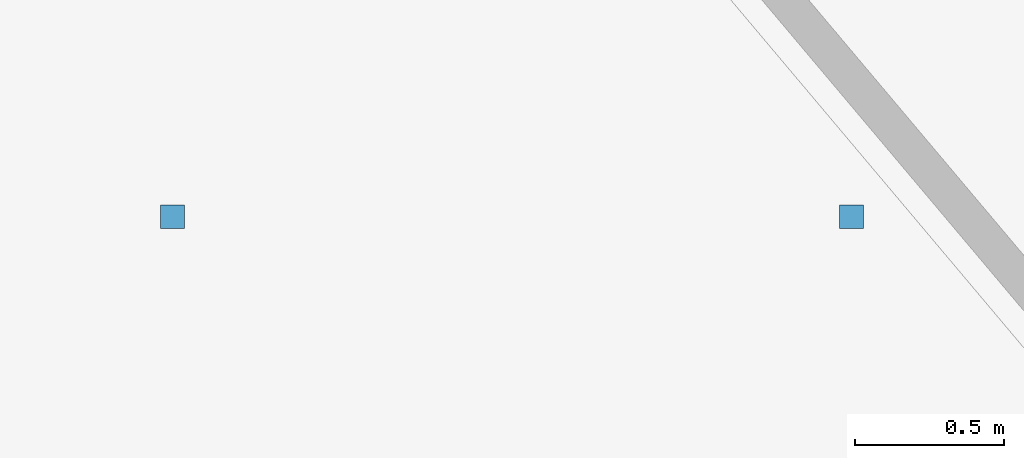
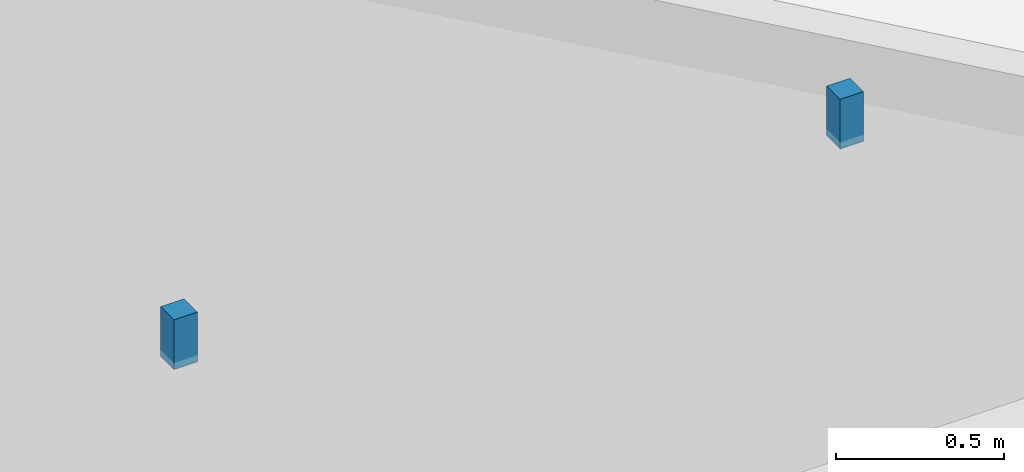
# One storey, part 13 of 19: 2 discrete accessories.
"""IFC4 building model written with IfcOpenShell, lengths in metres."""

from ifc_helpers import new_model, si_unit, direction, frame, origin, origin_2d, place, context, subcontext, project, spatial, rectangle, extrude, material, type_object, element, save


model = new_model("IFC4")

# Units and contexts
model_context = context("Model", 3, precision=1e-05, world=origin(), true_north=direction((0.0, 1.0)))
body_context = subcontext(model_context, "Body", "Model", "MODEL_VIEW")
ifc_project = project(units=[si_unit("LENGTHUNIT", "METRE"), si_unit("AREAUNIT", "SQUARE_METRE"), si_unit("VOLUMEUNIT", "CUBIC_METRE"), si_unit("PLANEANGLEUNIT", "RADIAN"), si_unit("MASSUNIT", "GRAM", prefix="KILO")], contexts=[model_context])

# Site, building, storey
site_placement = place(None, origin())
site = spatial("IfcSite", under=ifc_project, at=site_placement, CompositionType="ELEMENT")
building_placement = place(site_placement, origin())
building = spatial("IfcBuilding", under=site, at=building_placement, Name="Kolvaren Gate Tower and Convention Centre", CompositionType="ELEMENT")
storey_placement = place(building_placement, frame((0.0, 0.0, 38.050048828125)))
storey = spatial("IfcBuildingStorey", under=building, at=storey_placement, Name="L08", CompositionType="ELEMENT", Elevation=38.050048828125)

# Discrete accessories
ifc_material = material(Name="Brushed Stainless Steel Grade 316L", Category="steel")
discrete_accessory_type = type_object("IfcDiscreteAccessoryType", Name="ARCH-ACC-HANGER-80", PredefinedType="BRACKET", material=ifc_material)
for number, where, z_axis, x_axis, name in (
    (1, (48.43994140625, 28.818115234375, 3.39013671875), (0.0, 0.0, 1.0), (1.0, 0.0, 0.0), "Strategy Huddle Meeting Room Ceiling Suspension Hanger Clip 2"),
    (2, (50.72509765625, 28.818115234375, 3.39013671875), (0.0, 0.0, 1.0), (1.0, 0.0, 0.0), "Strategy Huddle Meeting Room Ceiling Suspension Hanger Clip 3"),
):
    element("IfcDiscreteAccessory", number, at=place(storey_placement, frame(where, z_axis=z_axis, x_axis=x_axis)), inside=storey, type_object=discrete_accessory_type, Name=name, PredefinedType="BRACKET", context=body_context, shape_type="SweptSolid", body=[
        extrude(rectangle(XDim=0.080078125, YDim=0.080078125, at=origin_2d()), origin(), (0.0, 0.0, 1.0), 0.179931640625),
    ])

save(model, "model.ifc")
